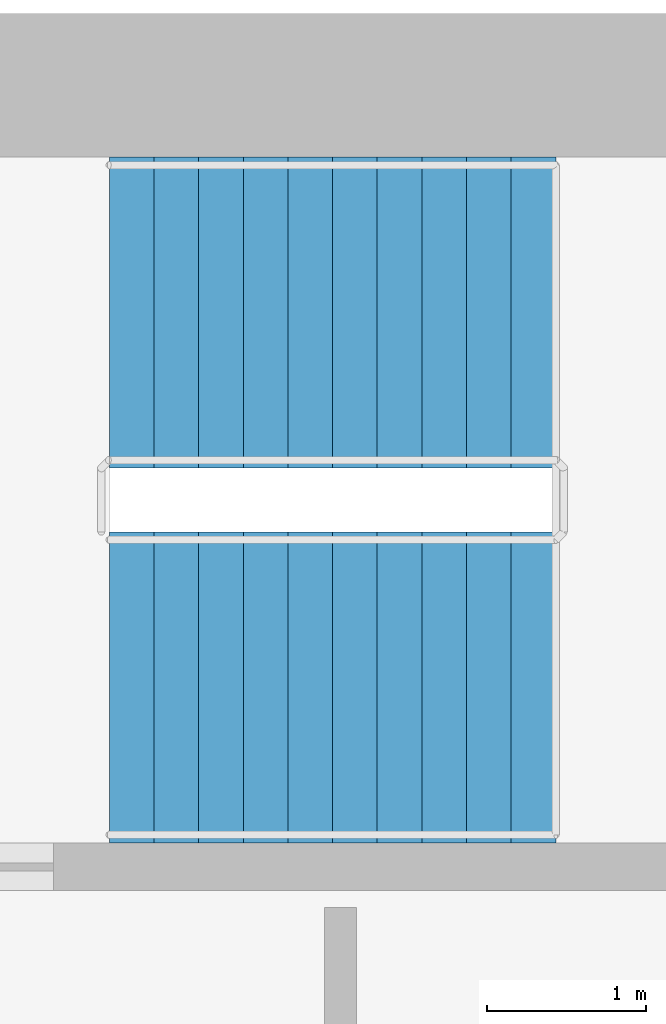
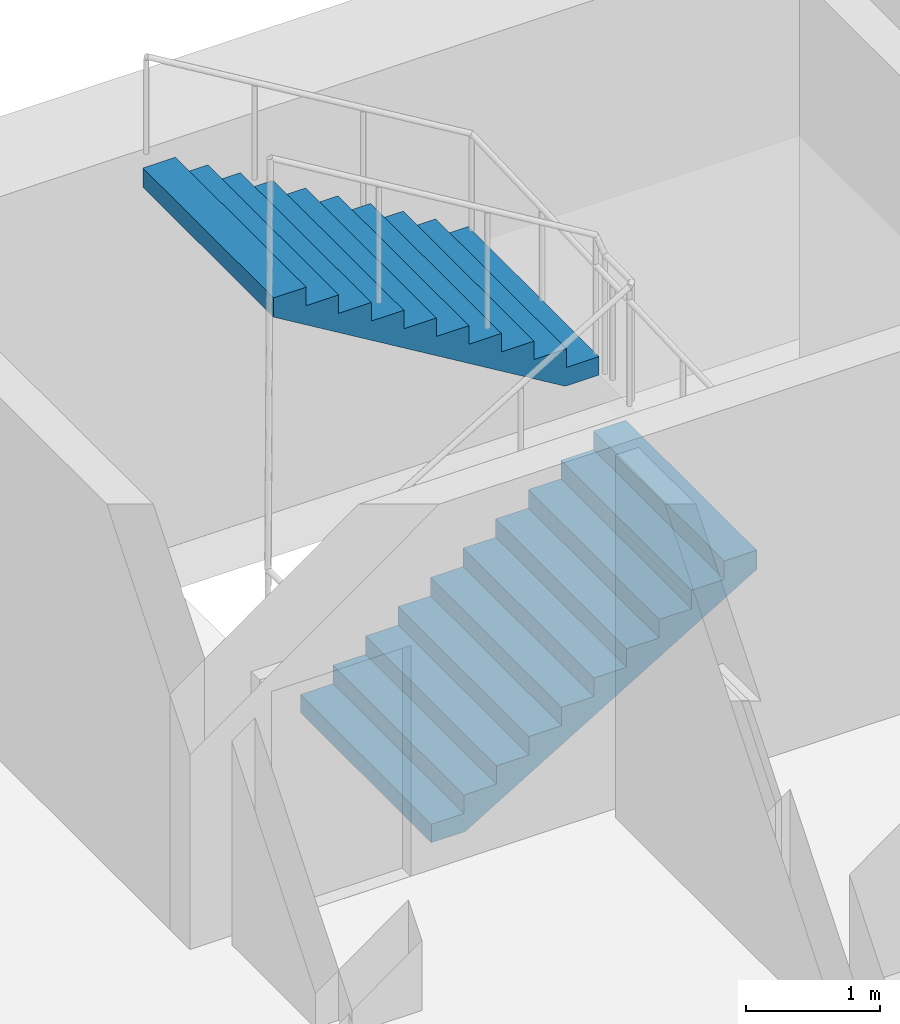
# One storey, part 17 of 22: 2 stair flights, 1 element without a shape of its own.
"""IFC4 building model written with IfcOpenShell, lengths in metres."""

from ifc_helpers import new_model, si_unit, direction, frame, origin, place, context, subcontext, project, spatial, polyline, outline, extrude, material, type_object, element, aggregate, save


model = new_model("IFC4")

# Units and contexts
model_context = context("Model", 3, precision=1e-05, world=origin(), true_north=direction((0.0, 1.0)))
body_context = subcontext(model_context, "Body", "Model", "MODEL_VIEW")
ifc_project = project(units=[si_unit("LENGTHUNIT", "METRE"), si_unit("AREAUNIT", "SQUARE_METRE"), si_unit("VOLUMEUNIT", "CUBIC_METRE"), si_unit("PLANEANGLEUNIT", "RADIAN"), si_unit("MASSUNIT", "GRAM", prefix="KILO")], contexts=[model_context])

# Site, building, storey
site_placement = place(None, origin())
site = spatial("IfcSite", under=ifc_project, at=site_placement, CompositionType="ELEMENT")
building_placement = place(site_placement, origin())
building = spatial("IfcBuilding", under=site, at=building_placement, Name="Hunhe Ridgeline Campus", CompositionType="ELEMENT")
storey_placement = place(building_placement, frame((0.0, 0.0, 159.699951171875)))
storey = spatial("IfcBuildingStorey", under=building, at=storey_placement, Name="L40", CompositionType="ELEMENT", Elevation=159.699951171875)

# Stair, stair flights
ifc_material = material(Name="Concrete C40", Category="concrete")
stair_type = type_object("IfcStairType", Name="Reinforced concrete dog-leg stair 1950 Concrete C40", PredefinedType="HALF_TURN_STAIR", material=ifc_material)
stair_placement = place(storey_placement, origin())
stair = element("IfcStair", 1, at=stair_placement, inside=storey, type_object=stair_type, Name="L40 E2", PredefinedType="HALF_TURN_STAIR")
stair_flight_type = type_object("IfcStairFlightType", Name="Reinforced concrete stair flight 1950 Concrete C40", PredefinedType="STRAIGHT", material=ifc_material)
stair_flight_1_placement = place(storey_placement, frame((51.64990234375, 94.77490234375, 0.0), z_axis=(0.0, 0.0, 1.0), x_axis=(1.0, 0.0, 0.0)))
stair_flight_1 = element("IfcStairFlight", 2, at=stair_flight_1_placement, type_object=stair_flight_type, Name="ST6 flight 1", NumberOfRisers=11, NumberOfTreads=10, PredefinedType="STRAIGHT", RiserHeight=0.168181818, TreadLength=0.28, context=body_context, shape_type="SweptSolid", body=[
    extrude(outline(polyline([(0.0, 0.0), (0.0, 0.168212890625), (0.280029296875, 0.168212890625), (0.280029296875, 0.33642578125), (0.56005859375, 0.33642578125), (0.56005859375, 0.504638671875), (0.840087890625, 0.504638671875), (0.840087890625, 0.672607421875), (1.1201171875, 0.672607421875), (1.1201171875, 0.8408203125), (1.39990234375, 0.8408203125), (1.39990234375, 1.009033203125), (1.679931640625, 1.009033203125), (1.679931640625, 1.17724609375), (1.9599609375, 1.17724609375), (1.9599609375, 1.345458984375), (2.239990234375, 1.345458984375), (2.239990234375, 1.513671875), (2.52001953125, 1.513671875), (2.52001953125, 1.681884765625), (2.800048828125, 1.681884765625), (2.800048828125, 1.85009765625), (2.800048828125, 1.5068359375), (0.291015625, 0.0), (0.0, 0.0)])), frame((0.0, 0.97509765625, 0.0), z_axis=(0.0, -1.0, 0.0), x_axis=(1.0, 0.0, 0.0)), (0.0, 0.0, 1.0), 1.949951171875),
    extrude(outline(polyline([(0.030029296875, 0.030029296875), (0.030029296875, 0.13818359375), (0.31005859375, 0.13818359375), (0.31005859375, 0.306396484375), (0.590087890625, 0.306396484375), (0.590087890625, 0.474609375), (0.8701171875, 0.474609375), (0.8701171875, 0.642578125), (1.14990234375, 0.642578125), (1.14990234375, 0.810791015625), (1.429931640625, 0.810791015625), (1.429931640625, 0.97900390625), (1.7099609375, 0.97900390625), (1.7099609375, 1.147216796875), (1.989990234375, 1.147216796875), (1.989990234375, 1.3154296875), (2.27001953125, 1.3154296875), (2.27001953125, 1.483642578125), (2.550048828125, 1.483642578125), (2.550048828125, 1.65185546875), (2.77001953125, 1.65185546875), (2.77001953125, 1.52392578125), (0.28271484375, 0.030029296875), (0.030029296875, 0.030029296875)])), frame((0.0, -0.070068359375, 0.0), z_axis=(0.0, -1.0, 0.0), x_axis=(1.0, 0.0, 0.0)), (0.0, 0.0, 1.0), 0.019775390625),
    extrude(outline(polyline([(0.030029296875, 0.030029296875), (0.030029296875, 0.13818359375), (0.31005859375, 0.13818359375), (0.31005859375, 0.306396484375), (0.590087890625, 0.306396484375), (0.590087890625, 0.474609375), (0.8701171875, 0.474609375), (0.8701171875, 0.642578125), (1.14990234375, 0.642578125), (1.14990234375, 0.810791015625), (1.429931640625, 0.810791015625), (1.429931640625, 0.97900390625), (1.7099609375, 0.97900390625), (1.7099609375, 1.147216796875), (1.989990234375, 1.147216796875), (1.989990234375, 1.3154296875), (2.27001953125, 1.3154296875), (2.27001953125, 1.483642578125), (2.550048828125, 1.483642578125), (2.550048828125, 1.65185546875), (2.77001953125, 1.65185546875), (2.77001953125, 1.52392578125), (0.28271484375, 0.030029296875), (0.030029296875, 0.030029296875)])), frame((0.0, 0.010009765625, 0.0), z_axis=(0.0, -1.0, 0.0), x_axis=(1.0, 0.0, 0.0)), (0.0, 0.0, 1.0), 0.019775390625),
    extrude(outline(polyline([(0.030029296875, 0.030029296875), (0.030029296875, 0.13818359375), (0.31005859375, 0.13818359375), (0.31005859375, 0.306396484375), (0.590087890625, 0.306396484375), (0.590087890625, 0.474609375), (0.8701171875, 0.474609375), (0.8701171875, 0.642578125), (1.14990234375, 0.642578125), (1.14990234375, 0.810791015625), (1.429931640625, 0.810791015625), (1.429931640625, 0.97900390625), (1.7099609375, 0.97900390625), (1.7099609375, 1.147216796875), (1.989990234375, 1.147216796875), (1.989990234375, 1.3154296875), (2.27001953125, 1.3154296875), (2.27001953125, 1.483642578125), (2.550048828125, 1.483642578125), (2.550048828125, 1.65185546875), (2.77001953125, 1.65185546875), (2.77001953125, 1.52392578125), (0.28271484375, 0.030029296875), (0.030029296875, 0.030029296875)])), frame((0.0, 0.090087890625, 0.0), z_axis=(0.0, -1.0, 0.0), x_axis=(1.0, 0.0, 0.0)), (0.0, 0.0, 1.0), 0.019775390625),
])
stair_flight_2_placement = place(storey_placement, frame((54.449951171875, 97.125, 1.85009765625), z_axis=(0.0, 0.0, 1.0), x_axis=(-1.0, 0.0, 0.0)))
stair_flight_2 = element("IfcStairFlight", 3, at=stair_flight_2_placement, type_object=stair_flight_type, Name="ST6 flight 2", NumberOfRisers=11, NumberOfTreads=10, PredefinedType="STRAIGHT", RiserHeight=0.168181818, TreadLength=0.28, context=body_context, shape_type="SweptSolid", body=[
    extrude(outline(polyline([(0.0, 0.0), (0.0, 0.168212890625), (0.280029296875, 0.168212890625), (0.280029296875, 0.33642578125), (0.56005859375, 0.33642578125), (0.56005859375, 0.504638671875), (0.840087890625, 0.504638671875), (0.840087890625, 0.672607421875), (1.1201171875, 0.672607421875), (1.1201171875, 0.8408203125), (1.39990234375, 0.8408203125), (1.39990234375, 1.009033203125), (1.679931640625, 1.009033203125), (1.679931640625, 1.17724609375), (1.9599609375, 1.17724609375), (1.9599609375, 1.345458984375), (2.239990234375, 1.345458984375), (2.239990234375, 1.513671875), (2.52001953125, 1.513671875), (2.52001953125, 1.681884765625), (2.800048828125, 1.681884765625), (2.800048828125, 1.85009765625), (2.800048828125, 1.5068359375), (0.291015625, 0.0), (0.0, 0.0)])), frame((0.0, 0.97509765625, 0.0), z_axis=(0.0, -1.0, 0.0), x_axis=(1.0, 0.0, 0.0)), (0.0, 0.0, 1.0), 1.949951171875),
    extrude(outline(polyline([(0.030029296875, 0.030029296875), (0.030029296875, 0.13818359375), (0.31005859375, 0.13818359375), (0.31005859375, 0.306396484375), (0.590087890625, 0.306396484375), (0.590087890625, 0.474609375), (0.8701171875, 0.474609375), (0.8701171875, 0.642578125), (1.14990234375, 0.642578125), (1.14990234375, 0.810791015625), (1.429931640625, 0.810791015625), (1.429931640625, 0.97900390625), (1.7099609375, 0.97900390625), (1.7099609375, 1.147216796875), (1.989990234375, 1.147216796875), (1.989990234375, 1.3154296875), (2.27001953125, 1.3154296875), (2.27001953125, 1.483642578125), (2.550048828125, 1.483642578125), (2.550048828125, 1.65185546875), (2.77001953125, 1.65185546875), (2.77001953125, 1.52392578125), (0.28271484375, 0.030029296875), (0.030029296875, 0.030029296875)])), frame((0.0, -0.070068359375, 0.0), z_axis=(0.0, -1.0, 0.0), x_axis=(1.0, 0.0, 0.0)), (0.0, 0.0, 1.0), 0.019775390625),
    extrude(outline(polyline([(0.030029296875, 0.030029296875), (0.030029296875, 0.13818359375), (0.31005859375, 0.13818359375), (0.31005859375, 0.306396484375), (0.590087890625, 0.306396484375), (0.590087890625, 0.474609375), (0.8701171875, 0.474609375), (0.8701171875, 0.642578125), (1.14990234375, 0.642578125), (1.14990234375, 0.810791015625), (1.429931640625, 0.810791015625), (1.429931640625, 0.97900390625), (1.7099609375, 0.97900390625), (1.7099609375, 1.147216796875), (1.989990234375, 1.147216796875), (1.989990234375, 1.3154296875), (2.27001953125, 1.3154296875), (2.27001953125, 1.483642578125), (2.550048828125, 1.483642578125), (2.550048828125, 1.65185546875), (2.77001953125, 1.65185546875), (2.77001953125, 1.52392578125), (0.28271484375, 0.030029296875), (0.030029296875, 0.030029296875)])), frame((0.0, 0.010009765625, 0.0), z_axis=(0.0, -1.0, 0.0), x_axis=(1.0, 0.0, 0.0)), (0.0, 0.0, 1.0), 0.019775390625),
    extrude(outline(polyline([(0.030029296875, 0.030029296875), (0.030029296875, 0.13818359375), (0.31005859375, 0.13818359375), (0.31005859375, 0.306396484375), (0.590087890625, 0.306396484375), (0.590087890625, 0.474609375), (0.8701171875, 0.474609375), (0.8701171875, 0.642578125), (1.14990234375, 0.642578125), (1.14990234375, 0.810791015625), (1.429931640625, 0.810791015625), (1.429931640625, 0.97900390625), (1.7099609375, 0.97900390625), (1.7099609375, 1.147216796875), (1.989990234375, 1.147216796875), (1.989990234375, 1.3154296875), (2.27001953125, 1.3154296875), (2.27001953125, 1.483642578125), (2.550048828125, 1.483642578125), (2.550048828125, 1.65185546875), (2.77001953125, 1.65185546875), (2.77001953125, 1.52392578125), (0.28271484375, 0.030029296875), (0.030029296875, 0.030029296875)])), frame((0.0, 0.090087890625, 0.0), z_axis=(0.0, -1.0, 0.0), x_axis=(1.0, 0.0, 0.0)), (0.0, 0.0, 1.0), 0.019775390625),
])
aggregate(stair, [stair_flight_1, stair_flight_2])

save(model, "model.ifc")
